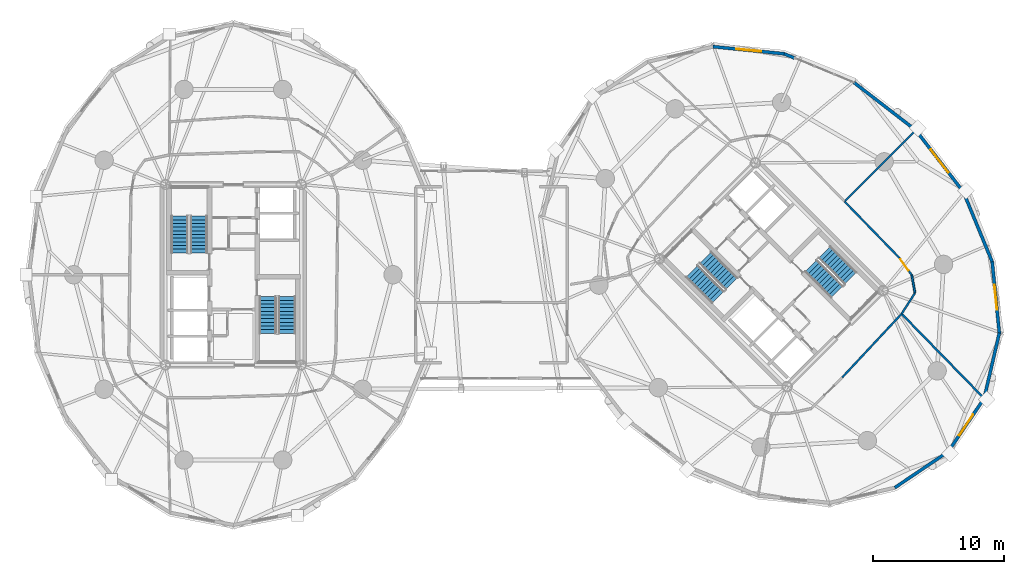
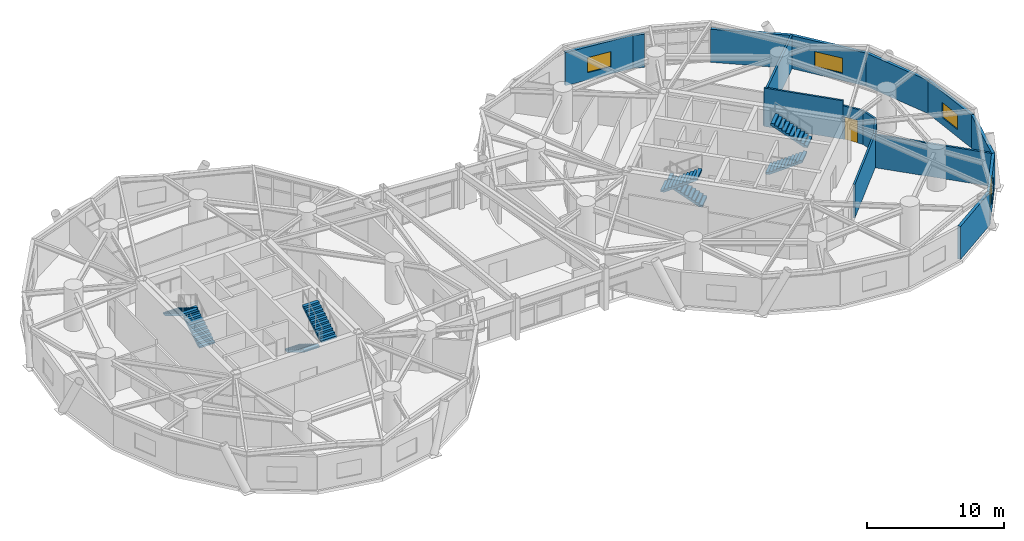
# One storey, part 18 of 20: 16 walls, 8 stair flights, 4 windows, 1 door, 5 openings, 4 elements without a shape of their own.
"""IFC4 building model written with IfcOpenShell, lengths in metres."""

from ifc_helpers import new_model, si_unit, direction, frame, frame_2d, origin, place, context, subcontext, project, spatial, polyline, rectangle, outline, extrude, source, transform, mapped, material, layer, layer_set, type_object, element, fill, aggregate, save


model = new_model("IFC4")

# Units and contexts
model_context = context("Model", 3, precision=1e-05, world=origin(), true_north=direction((0.0, 1.0)))
body_context = subcontext(model_context, "Body", "Model", "MODEL_VIEW")
ifc_project = project(units=[si_unit("LENGTHUNIT", "METRE"), si_unit("AREAUNIT", "SQUARE_METRE"), si_unit("VOLUMEUNIT", "CUBIC_METRE"), si_unit("PLANEANGLEUNIT", "RADIAN"), si_unit("MASSUNIT", "GRAM", prefix="KILO")], contexts=[model_context])

# Site, building, storey
site_placement = place(None, origin())
site = spatial("IfcSite", under=ifc_project, at=site_placement, CompositionType="ELEMENT")
building_placement = place(site_placement, origin())
building = spatial("IfcBuilding", under=site, at=building_placement, Name="Cununo Teusaquillo Station Towers", CompositionType="ELEMENT")
storey_placement = place(building_placement, frame((0.0, 0.0, 129.159912109375)))
storey = spatial("IfcBuildingStorey", under=building, at=storey_placement, Name="L41", CompositionType="ELEMENT", Elevation=129.159912109375)

# Walls
ifc_material_1 = material(Name="Precast concrete C40/50", Category="concrete")
ifc_layer_1 = layer(ifc_material_1, 0.239990234375)
ifc_layer_set_1 = layer_set([ifc_layer_1], Name="Precast concrete C40/50")
wall_type_1 = type_object("IfcWallType", Name="WL-EXT-240", PredefinedType="SOLIDWALL", material=ifc_layer_set_1)
wall_1_placement = place(storey_placement, frame((63.811279296875, 39.145263671875, 0.0), z_axis=(0.0, 0.0, 1.0), x_axis=(0.791982052206, -0.61054437102, 0.0)))
element("IfcWall", 1, at=wall_1_placement, inside=storey, type_object=wall_type_1, Name="L41 Tower B Exterior Facade Wall C00", PredefinedType="SOLIDWALL", context=body_context, shape_type="SweptSolid", body=[
    extrude(rectangle(XDim=5.942138671875, YDim=0.239990234375, at=frame_2d((2.97119140625, 0.0))), origin(), (0.0, 0.0, 1.0), 2.948974609375),
])
wall_2_placement = place(storey_placement, frame((58.4873046875, 41.33935546875, 0.0), z_axis=(0.0, 0.0, 1.0), x_axis=(0.924556017656, -0.381046152345, 0.0)))
element("IfcWall", 2, at=wall_2_placement, inside=storey, type_object=wall_type_1, Name="L41 Tower B Column Pier Cladding Wall C01-PA", PredefinedType="SOLIDWALL", context=body_context, shape_type="SweptSolid", body=[
    extrude(rectangle(XDim=0.8701171875, YDim=0.239990234375, at=frame_2d((0.43505859375, 0.0))), origin(), (0.0, 0.0, 1.0), 2.948974609375),
])

# Wall, opening, window
wall_3_placement = place(storey_placement, frame((53.066650390625, 41.885009765625, 0.0), z_axis=(0.0, 0.0, 1.0), x_axis=(0.994971754311, -0.10015591906, 0.0)))
wall_3 = element("IfcWall", 3, at=wall_3_placement, inside=storey, type_object=wall_type_1, Name="L41 Tower B Exterior Facade Wall C02", PredefinedType="SOLIDWALL", context=body_context, shape_type="SweptSolid", body=[
    extrude(rectangle(XDim=5.447998046875, YDim=0.239990234375, at=frame_2d((2.72412109375, 0.0))), origin(), (0.0, 0.0, 1.0), 2.948974609375),
])
shared_shape_1 = source(origin(), body_context, "Body", "SweptSolid", [
    extrude(rectangle(XDim=1.89990234375, YDim=1.35009765625, at=frame_2d((0.949951171875, 0.675048828125))), frame((0.0, 0.1298828125, 0.0), z_axis=(0.0, -1.0, 0.0), x_axis=(1.0, 0.0, 0.0)), (0.0, 0.0, 1.0), 0.260009765625),
])
opening_1_placement = place(wall_3_placement, frame((1.77392578125, 0.0, 0.64990234375)))
opening_1 = element("IfcOpeningElement", 4, at=opening_1_placement, cuts=wall_3, Name="Opening WN-02", PredefinedType="OPENING", context=body_context, shape_type="MappedRepresentation", body=[
    mapped(shared_shape_1, transform((0.0, 0.0, 0.0), x_axis=(1.0, 0.0, 0.0), y_axis=(0.0, 1.0, 0.0), z_axis=(0.0, 0.0, 1.0), scale=1.0)),
])
ifc_material_2 = material(Name="Operable acoustic tinted low-E double glazing", Category="glass")
window_type_1 = type_object("IfcWindowType", Name="WIN-OPER-1900", PartitioningType="DOUBLE_PANEL_VERTICAL", PredefinedType="WINDOW", material=ifc_material_2)
shared_shape_2 = source(origin(), body_context, "Body", "SweptSolid", [
    extrude(rectangle(XDim=1.89990234375, YDim=1.35009765625, at=frame_2d((0.949951171875, 0.675048828125))), frame((0.0, 0.030029296875, 0.0), z_axis=(0.0, -1.0, 0.0), x_axis=(1.0, 0.0, 0.0)), (0.0, 0.0, 1.0), 0.06005859375),
])
window_1_placement = place(opening_1_placement, origin())
window_1 = element("IfcWindow", 5, at=window_1_placement, inside=storey, type_object=window_type_1, Name="L41 Tower B Facade Window C02", OverallHeight=1.35009765625, OverallWidth=1.89990234375, PartitioningType="DOUBLE_PANEL_VERTICAL", PredefinedType="WINDOW", context=body_context, shape_type="MappedRepresentation", body=[
    mapped(shared_shape_2, transform((0.0, 0.0, 0.0), x_axis=(1.0, 0.0, 0.0), y_axis=(0.0, 1.0, 0.0), z_axis=(0.0, 0.0, 1.0), scale=1.0)),
])
fill(opening_1, window_1)

# Wall
wall_4_placement = place(storey_placement, frame((70.984619140625, 11.015380859375, 0.0), z_axis=(0.0, 0.0, 1.0), x_axis=(-0.828781148131, -0.559572880421, 0.0)))
element("IfcWall", 6, at=wall_4_placement, inside=storey, type_object=wall_type_1, Name="L41 Tower B Exterior Facade Wall C14", PredefinedType="SOLIDWALL", context=body_context, shape_type="SweptSolid", body=[
    extrude(rectangle(XDim=4.904541015625, YDim=0.239990234375, at=frame_2d((2.4521484375, 0.0))), origin(), (0.0, 0.0, 1.0), 2.948974609375),
])

# Wall, opening, window
wall_5_placement = place(storey_placement, frame((73.72900390625, 15.080078125, 0.0), z_axis=(0.0, 0.0, 1.0), x_axis=(-0.559572880421, -0.828781148131, 0.0)))
wall_5 = element("IfcWall", 7, at=wall_5_placement, inside=storey, type_object=wall_type_1, Name="L41 Tower B Exterior Facade Wall C15", PredefinedType="SOLIDWALL", context=body_context, shape_type="SweptSolid", body=[
    extrude(rectangle(XDim=4.904541015625, YDim=0.239990234375, at=frame_2d((2.4521484375, 0.0))), origin(), (0.0, 0.0, 1.0), 2.948974609375),
])
opening_2_placement = place(wall_5_placement, frame((1.501953125, 0.0, 0.64990234375)))
opening_2 = element("IfcOpeningElement", 8, at=opening_2_placement, cuts=wall_5, Name="Opening WN-02", PredefinedType="OPENING", context=body_context, shape_type="MappedRepresentation", body=[
    mapped(shared_shape_1, transform((0.0, 0.0, 0.0), x_axis=(1.0, 0.0, 0.0), y_axis=(0.0, 1.0, 0.0), z_axis=(0.0, 0.0, 1.0), scale=1.0)),
])
window_2_placement = place(opening_2_placement, origin())
window_2 = element("IfcWindow", 9, at=window_2_placement, inside=storey, type_object=window_type_1, Name="L41 Tower B Facade Window C15", OverallHeight=1.35009765625, OverallWidth=1.89990234375, PartitioningType="DOUBLE_PANEL_VERTICAL", PredefinedType="WINDOW", context=body_context, shape_type="MappedRepresentation", body=[
    mapped(shared_shape_2, transform((0.0, 0.0, 0.0), x_axis=(1.0, 0.0, 0.0), y_axis=(0.0, 1.0, 0.0), z_axis=(0.0, 0.0, 1.0), scale=1.0)),
])
fill(opening_2, window_2)

# Wall
wall_6_placement = place(storey_placement, frame((74.885009765625, 20.066650390625, 0.0), z_axis=(0.0, 0.0, 1.0), x_axis=(-0.225834725257, -0.974165631126, 0.0)))
element("IfcWall", 10, at=wall_6_placement, inside=storey, type_object=wall_type_1, Name="L41 Tower B Exterior Facade Wall C16", PredefinedType="SOLIDWALL", context=body_context, shape_type="SweptSolid", body=[
    extrude(rectangle(XDim=5.118896484375, YDim=0.239990234375, at=frame_2d((2.5595703125, 0.0))), origin(), (0.0, 0.0, 1.0), 2.948974609375),
])

# Wall, opening, window
wall_7_placement = place(storey_placement, frame((74.33935546875, 25.4873046875, 0.0), z_axis=(0.0, 0.0, 1.0), x_axis=(0.10015591906, -0.994971754311, 0.0)))
wall_7 = element("IfcWall", 11, at=wall_7_placement, inside=storey, type_object=wall_type_1, Name="L41 Tower B Exterior Facade Wall C17", PredefinedType="SOLIDWALL", context=body_context, shape_type="SweptSolid", body=[
    extrude(rectangle(XDim=5.447998046875, YDim=0.239990234375, at=frame_2d((2.72412109375, 0.0))), origin(), (0.0, 0.0, 1.0), 2.948974609375),
])
opening_3_placement = place(wall_7_placement, frame((1.77392578125, 0.0, 0.64990234375)))
opening_3 = element("IfcOpeningElement", 12, at=opening_3_placement, cuts=wall_7, Name="Opening WN-02", PredefinedType="OPENING", context=body_context, shape_type="MappedRepresentation", body=[
    mapped(shared_shape_1, transform((0.0, 0.0, 0.0), x_axis=(1.0, 0.0, 0.0), y_axis=(0.0, 1.0, 0.0), z_axis=(0.0, 0.0, 1.0), scale=1.0)),
])
window_3_placement = place(opening_3_placement, origin())
window_3 = element("IfcWindow", 13, at=window_3_placement, inside=storey, type_object=window_type_1, Name="L41 Tower B Facade Window C17", OverallHeight=1.35009765625, OverallWidth=1.89990234375, PartitioningType="DOUBLE_PANEL_VERTICAL", PredefinedType="WINDOW", context=body_context, shape_type="MappedRepresentation", body=[
    mapped(shared_shape_2, transform((0.0, 0.0, 0.0), x_axis=(1.0, 0.0, 0.0), y_axis=(0.0, 1.0, 0.0), z_axis=(0.0, 0.0, 1.0), scale=1.0)),
])
fill(opening_3, window_3)

# Wall
wall_8_placement = place(storey_placement, frame((72.145263671875, 30.811279296875, 0.0), z_axis=(0.0, 0.0, 1.0), x_axis=(0.381027003055, -0.924563909604, 0.0)))
element("IfcWall", 14, at=wall_8_placement, inside=storey, type_object=wall_type_1, Name="L41 Tower B Exterior Facade Wall C18", PredefinedType="SOLIDWALL", context=body_context, shape_type="SweptSolid", body=[
    extrude(rectangle(XDim=5.75830078125, YDim=0.239990234375, at=frame_2d((2.879150390625, 0.0))), origin(), (0.0, 0.0, 1.0), 2.948974609375),
])

# Wall, opening, window
wall_9_placement = place(storey_placement, frame((68.517333984375, 35.517333984375, 0.0), z_axis=(0.0, 0.0, 1.0), x_axis=(0.61054437102, -0.791982052206, 0.0)))
wall_9 = element("IfcWall", 15, at=wall_9_placement, inside=storey, type_object=wall_type_1, Name="L41 Tower B Exterior Facade Wall C19", PredefinedType="SOLIDWALL", context=body_context, shape_type="SweptSolid", body=[
    extrude(rectangle(XDim=5.942138671875, YDim=0.239990234375, at=frame_2d((2.97119140625, 0.0))), origin(), (0.0, 0.0, 1.0), 2.948974609375),
])
shared_shape_3 = source(origin(), body_context, "Body", "SweptSolid", [
    extrude(rectangle(XDim=2.199951171875, YDim=1.35009765625, at=frame_2d((1.10009765625, 0.675048828125))), frame((0.0, 0.1298828125, 0.0), z_axis=(0.0, -1.0, 0.0), x_axis=(1.0, 0.0, 0.0)), (0.0, 0.0, 1.0), 0.260009765625),
])
opening_4_placement = place(wall_9_placement, frame((1.87109375, 0.0, 0.64990234375)))
opening_4 = element("IfcOpeningElement", 16, at=opening_4_placement, cuts=wall_9, Name="Opening WN-01", PredefinedType="OPENING", context=body_context, shape_type="MappedRepresentation", body=[
    mapped(shared_shape_3, transform((0.0, 0.0, 0.0), x_axis=(1.0, 0.0, 0.0), y_axis=(0.0, 1.0, 0.0), z_axis=(0.0, 0.0, 1.0), scale=1.0)),
])
ifc_material_3 = material(Name="Ceramic-fritted dark low-E double glazing", Category="glass")
window_type_2 = type_object("IfcWindowType", Name="WIN-FRIT-2200", PartitioningType="DOUBLE_PANEL_VERTICAL", PredefinedType="WINDOW", material=ifc_material_3)
shared_shape_4 = source(origin(), body_context, "Body", "SweptSolid", [
    extrude(rectangle(XDim=2.199951171875, YDim=1.35009765625, at=frame_2d((1.10009765625, 0.675048828125))), frame((0.0, 0.030029296875, 0.0), z_axis=(0.0, -1.0, 0.0), x_axis=(1.0, 0.0, 0.0)), (0.0, 0.0, 1.0), 0.06005859375),
])
window_4_placement = place(opening_4_placement, origin())
window_4 = element("IfcWindow", 17, at=window_4_placement, inside=storey, type_object=window_type_2, Name="L41 Tower B Facade Window C19", OverallHeight=1.35009765625, OverallWidth=2.199951171875, PartitioningType="DOUBLE_PANEL_VERTICAL", PredefinedType="WINDOW", context=body_context, shape_type="MappedRepresentation", body=[
    mapped(shared_shape_4, transform((0.0, 0.0, 0.0), x_axis=(1.0, 0.0, 0.0), y_axis=(0.0, 1.0, 0.0), z_axis=(0.0, 0.0, 1.0), scale=1.0)),
])
fill(opening_4, window_4)

# Walls
ifc_material_4 = material(Name="Fire-rated gypsum plasterboard partition assembly", Category="gypsum")
ifc_layer_2 = layer(ifc_material_4, 0.14990234375)
ifc_layer_set_2 = layer_set([ifc_layer_2], Name="Fire-rated gypsum plasterboard partition assembly")
wall_type_2 = type_object("IfcWallType", Name="WL-PART-150", PredefinedType="PARTITIONING", material=ifc_layer_set_2)
wall_10_placement = place(storey_placement, frame((62.902587890625, 16.66650390625, 0.0), z_axis=(0.0, 0.0, 1.0), x_axis=(0.682371947497, 0.731005147225, 0.0)))
element("IfcWall", 18, at=wall_10_placement, inside=storey, type_object=wall_type_2, Name="L41 Tower B Corridor Ring Wall C15", PredefinedType="PARTITIONING", context=body_context, shape_type="SweptSolid", body=[
    extrude(rectangle(XDim=6.6416015625, YDim=0.14990234375, at=frame_2d((3.32080078125, 0.0))), origin(), (0.0, 0.0, 1.0), 2.9951171875),
])
wall_11_placement = place(storey_placement, frame((67.4345703125, 21.521484375, 0.0), z_axis=(0.0, 0.0, 1.0), x_axis=(0.540777197838, 0.841165870859, 0.0)))
element("IfcWall", 19, at=wall_11_placement, inside=storey, type_object=wall_type_2, Name="L41 Tower B Corridor Ring Wall C16", PredefinedType="PARTITIONING", context=body_context, shape_type="SweptSolid", body=[
    extrude(rectangle(XDim=1.887939453125, YDim=0.14990234375, at=frame_2d((0.94384765625, 0.0))), origin(), (0.0, 0.0, 1.0), 2.9951171875),
])
wall_12_placement = place(storey_placement, frame((68.45556640625, 23.109619140625, 0.0), z_axis=(0.0, 0.0, 1.0), x_axis=(-0.1772522795, 0.984165448191, 0.0)))
element("IfcWall", 20, at=wall_12_placement, inside=storey, type_object=wall_type_2, Name="L41 Tower B Corridor Ring Wall C17", PredefinedType="PARTITIONING", context=body_context, shape_type="SweptSolid", body=[
    extrude(rectangle(XDim=1.381591796875, YDim=0.14990234375, at=frame_2d((0.69091796875, 0.0))), origin(), (0.0, 0.0, 1.0), 2.9951171875),
])

# Wall, opening, door
wall_13_placement = place(storey_placement, frame((68.210693359375, 24.46923828125, 0.0), z_axis=(0.0, 0.0, 1.0), x_axis=(-0.583012141368, 0.812463441034, 0.0)))
wall_13 = element("IfcWall", 21, at=wall_13_placement, inside=storey, type_object=wall_type_2, Name="L41 Tower B Corridor Ring Wall C18", PredefinedType="PARTITIONING", context=body_context, shape_type="SweptSolid", body=[
    extrude(rectangle(XDim=1.613037109375, YDim=0.14990234375, at=frame_2d((0.806640625, 0.0))), origin(), (0.0, 0.0, 1.0), 2.9951171875),
])
shared_shape_5 = source(origin(), body_context, "Body", "SweptSolid", [
    extrude(rectangle(XDim=1.050048828125, YDim=2.014892578125, at=frame_2d((0.52490234375, 1.00732421875))), frame((0.0, 0.0849609375, 0.0), z_axis=(0.0, -1.0, 0.0), x_axis=(1.0, 0.0, 0.0)), (0.0, 0.0, 1.0), 0.169921875),
])
opening_5_placement = place(wall_13_placement, frame((0.443115234375, 0.0, 0.0)))
opening_5 = element("IfcOpeningElement", 22, at=opening_5_placement, cuts=wall_13, Name="Opening D-SU1", PredefinedType="OPENING", context=body_context, shape_type="MappedRepresentation", body=[
    mapped(shared_shape_5, transform((0.0, 0.0, 0.0), x_axis=(1.0, 0.0, 0.0), y_axis=(0.0, 1.0, 0.0), z_axis=(0.0, 0.0, 1.0), scale=1.0)),
])
ifc_material_5 = material(Name="Acoustic solid-core hardwood leaf assembly", Category="wood")
door_type = type_object("IfcDoorType", Name="DR-SUITE-1050", OperationType="NOTDEFINED", PredefinedType="DOOR", material=ifc_material_5)
shared_shape_6 = source(origin(), body_context, "Body", "SweptSolid", [
    extrude(rectangle(XDim=1.050048828125, YDim=2.014892578125, at=frame_2d((0.52490234375, 1.00732421875))), frame((0.0, 0.02490234375, 0.0), z_axis=(0.0, -1.0, 0.0), x_axis=(1.0, 0.0, 0.0)), (0.0, 0.0, 1.0), 0.050048828125),
])
door_placement = place(opening_5_placement, origin())
door = element("IfcDoor", 23, at=door_placement, inside=storey, type_object=door_type, Name="L41 Tower B Bridge Portal Reception Foyer Entrance Door", OperationType="SINGLE_SWING_RIGHT", OverallHeight=2.014892578125, OverallWidth=1.050048828125, PredefinedType="DOOR", context=body_context, shape_type="MappedRepresentation", body=[
    mapped(shared_shape_6, transform((0.0, 0.0, 0.0), x_axis=(1.0, 0.0, 0.0), y_axis=(0.0, 1.0, 0.0), z_axis=(0.0, 0.0, 1.0), scale=1.0)),
])
fill(opening_5, door)

# Walls
wall_14_placement = place(storey_placement, frame((67.270263671875, 25.77978515625, 0.0), z_axis=(0.0, 0.0, 1.0), x_axis=(-0.696847842907, 0.717218992942, 0.0)))
element("IfcWall", 24, at=wall_14_placement, inside=storey, type_object=wall_type_2, Name="L41 Tower B Corridor Ring Wall C19", PredefinedType="PARTITIONING", context=body_context, shape_type="SweptSolid", body=[
    extrude(rectangle(XDim=6.00439453125, YDim=0.14990234375, at=frame_2d((3.002197265625, 0.0))), origin(), (0.0, 0.0, 1.0), 3.425048828125),
])
ifc_material_6 = material(Name="Fire-rated gypsum plasterboard partition assembly", Category="gypsum")
ifc_layer_3 = layer(ifc_material_6, 0.159912109375)
ifc_layer_set_3 = layer_set([ifc_layer_3], Name="Fire-rated gypsum plasterboard partition assembly")
wall_type_3 = type_object("IfcWallType", Name="WL-PART-160", PredefinedType="PARTITIONING", material=ifc_layer_set_3)
wall_15_placement = place(storey_placement, frame((63.086181640625, 30.086181640625, 0.0), z_axis=(0.0, 0.0, 1.0), x_axis=(0.707106781187, 0.707106781187, 0.0)))
element("IfcWall", 25, at=wall_15_placement, inside=storey, type_object=wall_type_3, Name="L41 Tower B Radial Suite Partition R01", PredefinedType="PARTITIONING", context=body_context, shape_type="SweptSolid", body=[
    extrude(rectangle(XDim=7.6611328125, YDim=0.159912109375, at=frame_2d((3.83056640625, 0.0))), origin(), (0.0, 0.0, 1.0), 2.948974609375),
])
wall_16_placement = place(storey_placement, frame((67.4345703125, 21.521484375, 0.0), z_axis=(0.0, 0.0, 1.0), x_axis=(0.6983880073, -0.715719352302, 0.0)))
element("IfcWall", 26, at=wall_16_placement, inside=storey, type_object=wall_type_3, Name="L41 Tower B Radial Suite Partition R05", PredefinedType="PARTITIONING", context=body_context, shape_type="SweptSolid", body=[
    extrude(rectangle(XDim=8.9873046875, YDim=0.159912109375, at=frame_2d((4.49365234375, 0.0))), origin(), (0.0, 0.0, 1.0), 2.948974609375),
])

# Stair, stair flights
ifc_material_7 = material(Name="Concrete C50/60", Category="concrete")
stair_type = type_object("IfcStairType", Name="ST-TWR-1300", PredefinedType="HALF_TURN_STAIR", material=ifc_material_7)
stair_1_placement = place(storey_placement, origin())
stair_1 = element("IfcStair", 27, at=stair_1_placement, inside=storey, type_object=stair_type, Name="L41 Tower A Protected Core Exit Stair 1", PredefinedType="HALF_TURN_STAIR")
ifc_material_8 = material(Name="Concrete C50/60", Category="concrete")
stair_flight_type = type_object("IfcStairFlightType", Name="SFL-TWR-1300", PredefinedType="STRAIGHT", material=ifc_material_8)
stair_flight_1_placement = place(storey_placement, frame((13.8701171875, 26.169921875, 0.0), z_axis=(0.0, 0.0, 1.0), x_axis=(0.0, 1.0, 0.0)))
stair_flight_1 = element("IfcStairFlight", 28, at=stair_flight_1_placement, type_object=stair_flight_type, Name="ST-T1-1 flight 1", NumberOfRisers=11, NumberOfTreads=10, PredefinedType="STRAIGHT", RiserHeight=0.169090909, TreadLength=0.28, context=body_context, shape_type="SweptSolid", body=[
    extrude(outline(polyline([(0.0, 0.0), (0.0, 0.169189453125), (0.280029296875, 0.169189453125), (0.280029296875, 0.338134765625), (0.56005859375, 0.338134765625), (0.56005859375, 0.50732421875), (0.840087890625, 0.50732421875), (0.840087890625, 0.67626953125), (1.1201171875, 0.67626953125), (1.1201171875, 0.845458984375), (1.39990234375, 0.845458984375), (1.39990234375, 1.0146484375), (1.679931640625, 1.0146484375), (1.679931640625, 1.18359375), (1.9599609375, 1.18359375), (1.9599609375, 1.352783203125), (2.239990234375, 1.352783203125), (2.239990234375, 1.521728515625), (2.52001953125, 1.521728515625), (2.52001953125, 1.69091796875), (2.800048828125, 1.69091796875), (2.800048828125, 1.860107421875), (2.800048828125, 1.515869140625), (0.2900390625, 0.0), (0.0, 0.0)])), frame((0.0, 0.64990234375, 0.0), z_axis=(0.0, -1.0, 0.0), x_axis=(1.0, 0.0, 0.0)), (0.0, 0.0, 1.0), 1.300048828125),
])
stair_flight_2_placement = place(storey_placement, frame((12.409912109375, 28.969970703125, 1.860107421875), z_axis=(0.0, 0.0, 1.0), x_axis=(0.0, -1.0, 0.0)))
stair_flight_2 = element("IfcStairFlight", 29, at=stair_flight_2_placement, type_object=stair_flight_type, Name="ST-T1-1 flight 2", NumberOfRisers=11, NumberOfTreads=10, PredefinedType="STRAIGHT", RiserHeight=0.169090909, TreadLength=0.28, context=body_context, shape_type="SweptSolid", body=[
    extrude(outline(polyline([(0.0, 0.0), (0.0, 0.169189453125), (0.280029296875, 0.169189453125), (0.280029296875, 0.338134765625), (0.56005859375, 0.338134765625), (0.56005859375, 0.50732421875), (0.840087890625, 0.50732421875), (0.840087890625, 0.67626953125), (1.1201171875, 0.67626953125), (1.1201171875, 0.845458984375), (1.39990234375, 0.845458984375), (1.39990234375, 1.0146484375), (1.679931640625, 1.0146484375), (1.679931640625, 1.18359375), (1.9599609375, 1.18359375), (1.9599609375, 1.352783203125), (2.239990234375, 1.352783203125), (2.239990234375, 1.521728515625), (2.52001953125, 1.521728515625), (2.52001953125, 1.69091796875), (2.800048828125, 1.69091796875), (2.800048828125, 1.860107421875), (2.800048828125, 1.515869140625), (0.2900390625, 0.0), (0.0, 0.0)])), frame((0.0, 0.64990234375, 0.0), z_axis=(0.0, -1.0, 0.0), x_axis=(1.0, 0.0, 0.0)), (0.0, 0.0, 1.0), 1.300048828125),
])
aggregate(stair_1, [stair_flight_1, stair_flight_2])

stair_2_placement = place(storey_placement, origin())
stair_2 = element("IfcStair", 30, at=stair_2_placement, inside=storey, type_object=stair_type, Name="L41 Tower A Protected Core Exit Stair 2", PredefinedType="HALF_TURN_STAIR")
stair_flight_3_placement = place(storey_placement, frame((19.1298828125, 22.830078125, 0.0), z_axis=(0.0, 0.0, 1.0), x_axis=(0.0, -1.0, 0.0)))
stair_flight_3 = element("IfcStairFlight", 31, at=stair_flight_3_placement, type_object=stair_flight_type, Name="ST-T1-2 flight 1", NumberOfRisers=11, NumberOfTreads=10, PredefinedType="STRAIGHT", RiserHeight=0.169090909, TreadLength=0.28, context=body_context, shape_type="SweptSolid", body=[
    extrude(outline(polyline([(0.0, 0.0), (0.0, 0.169189453125), (0.280029296875, 0.169189453125), (0.280029296875, 0.338134765625), (0.56005859375, 0.338134765625), (0.56005859375, 0.50732421875), (0.840087890625, 0.50732421875), (0.840087890625, 0.67626953125), (1.1201171875, 0.67626953125), (1.1201171875, 0.845458984375), (1.39990234375, 0.845458984375), (1.39990234375, 1.0146484375), (1.679931640625, 1.0146484375), (1.679931640625, 1.18359375), (1.9599609375, 1.18359375), (1.9599609375, 1.352783203125), (2.239990234375, 1.352783203125), (2.239990234375, 1.521728515625), (2.52001953125, 1.521728515625), (2.52001953125, 1.69091796875), (2.800048828125, 1.69091796875), (2.800048828125, 1.860107421875), (2.800048828125, 1.515869140625), (0.2900390625, 0.0), (0.0, 0.0)])), frame((0.0, 0.64990234375, 0.0), z_axis=(0.0, -1.0, 0.0), x_axis=(1.0, 0.0, 0.0)), (0.0, 0.0, 1.0), 1.300048828125),
])
stair_flight_4_placement = place(storey_placement, frame((20.590087890625, 20.030029296875, 1.860107421875), z_axis=(0.0, 0.0, 1.0), x_axis=(0.0, 1.0, 0.0)))
stair_flight_4 = element("IfcStairFlight", 32, at=stair_flight_4_placement, type_object=stair_flight_type, Name="ST-T1-2 flight 2", NumberOfRisers=11, NumberOfTreads=10, PredefinedType="STRAIGHT", RiserHeight=0.169090909, TreadLength=0.28, context=body_context, shape_type="SweptSolid", body=[
    extrude(outline(polyline([(0.0, 0.0), (0.0, 0.169189453125), (0.280029296875, 0.169189453125), (0.280029296875, 0.338134765625), (0.56005859375, 0.338134765625), (0.56005859375, 0.50732421875), (0.840087890625, 0.50732421875), (0.840087890625, 0.67626953125), (1.1201171875, 0.67626953125), (1.1201171875, 0.845458984375), (1.39990234375, 0.845458984375), (1.39990234375, 1.0146484375), (1.679931640625, 1.0146484375), (1.679931640625, 1.18359375), (1.9599609375, 1.18359375), (1.9599609375, 1.352783203125), (2.239990234375, 1.352783203125), (2.239990234375, 1.521728515625), (2.52001953125, 1.521728515625), (2.52001953125, 1.69091796875), (2.800048828125, 1.69091796875), (2.800048828125, 1.860107421875), (2.800048828125, 1.515869140625), (0.2900390625, 0.0), (0.0, 0.0)])), frame((0.0, 0.64990234375, 0.0), z_axis=(0.0, -1.0, 0.0), x_axis=(1.0, 0.0, 0.0)), (0.0, 0.0, 1.0), 1.300048828125),
])
aggregate(stair_2, [stair_flight_3, stair_flight_4])

stair_3_placement = place(storey_placement, origin())
stair_3 = element("IfcStair", 33, at=stair_3_placement, inside=storey, type_object=stair_type, Name="L41 Tower B Protected Core Exit Stair 1", PredefinedType="HALF_TURN_STAIR")
stair_flight_5_placement = place(storey_placement, frame((54.45947265625, 23.8212890625, 0.0), z_axis=(0.0, 0.0, 1.0), x_axis=(-0.707106781187, 0.707106781187, 0.0)))
stair_flight_5 = element("IfcStairFlight", 34, at=stair_flight_5_placement, type_object=stair_flight_type, Name="ST-T2-1 flight 1", NumberOfRisers=11, NumberOfTreads=10, PredefinedType="STRAIGHT", RiserHeight=0.169090909, TreadLength=0.28, context=body_context, shape_type="SweptSolid", body=[
    extrude(outline(polyline([(0.0, 0.0), (0.0, 0.169189453125), (0.280029296875, 0.169189453125), (0.280029296875, 0.338134765625), (0.56005859375, 0.338134765625), (0.56005859375, 0.50732421875), (0.840087890625, 0.50732421875), (0.840087890625, 0.67626953125), (1.1201171875, 0.67626953125), (1.1201171875, 0.845458984375), (1.39990234375, 0.845458984375), (1.39990234375, 1.0146484375), (1.679931640625, 1.0146484375), (1.679931640625, 1.18359375), (1.9599609375, 1.18359375), (1.9599609375, 1.352783203125), (2.239990234375, 1.352783203125), (2.239990234375, 1.521728515625), (2.52001953125, 1.521728515625), (2.52001953125, 1.69091796875), (2.800048828125, 1.69091796875), (2.800048828125, 1.860107421875), (2.800048828125, 1.515869140625), (0.2900390625, 0.0), (0.0, 0.0)])), frame((0.0, 0.64990234375, 0.0), z_axis=(0.0, -1.0, 0.0), x_axis=(1.0, 0.0, 0.0)), (0.0, 0.0, 1.0), 1.300048828125),
])
stair_flight_6_placement = place(storey_placement, frame((51.447265625, 24.768798828125, 1.860107421875), z_axis=(0.0, 0.0, 1.0), x_axis=(0.707106781187, -0.707106781187, 0.0)))
stair_flight_6 = element("IfcStairFlight", 35, at=stair_flight_6_placement, type_object=stair_flight_type, Name="ST-T2-1 flight 2", NumberOfRisers=11, NumberOfTreads=10, PredefinedType="STRAIGHT", RiserHeight=0.169090909, TreadLength=0.28, context=body_context, shape_type="SweptSolid", body=[
    extrude(outline(polyline([(0.0, 0.0), (0.0, 0.169189453125), (0.280029296875, 0.169189453125), (0.280029296875, 0.338134765625), (0.56005859375, 0.338134765625), (0.56005859375, 0.50732421875), (0.840087890625, 0.50732421875), (0.840087890625, 0.67626953125), (1.1201171875, 0.67626953125), (1.1201171875, 0.845458984375), (1.39990234375, 0.845458984375), (1.39990234375, 1.0146484375), (1.679931640625, 1.0146484375), (1.679931640625, 1.18359375), (1.9599609375, 1.18359375), (1.9599609375, 1.352783203125), (2.239990234375, 1.352783203125), (2.239990234375, 1.521728515625), (2.52001953125, 1.521728515625), (2.52001953125, 1.69091796875), (2.800048828125, 1.69091796875), (2.800048828125, 1.860107421875), (2.800048828125, 1.515869140625), (0.2900390625, 0.0), (0.0, 0.0)])), frame((0.0, 0.64990234375, 0.0), z_axis=(0.0, -1.0, 0.0), x_axis=(1.0, 0.0, 0.0)), (0.0, 0.0, 1.0), 1.300048828125),
])
aggregate(stair_3, [stair_flight_5, stair_flight_6])

stair_4_placement = place(storey_placement, origin())
stair_4 = element("IfcStair", 36, at=stair_4_placement, inside=storey, type_object=stair_type, Name="L41 Tower B Protected Core Exit Stair 2", PredefinedType="HALF_TURN_STAIR")
stair_flight_7_placement = place(storey_placement, frame((60.54052734375, 25.1787109375, 0.0), z_axis=(0.0, 0.0, 1.0), x_axis=(0.707106781187, -0.707106781187, 0.0)))
stair_flight_7 = element("IfcStairFlight", 37, at=stair_flight_7_placement, type_object=stair_flight_type, Name="ST-T2-2 flight 1", NumberOfRisers=11, NumberOfTreads=10, PredefinedType="STRAIGHT", RiserHeight=0.169090909, TreadLength=0.28, context=body_context, shape_type="SweptSolid", body=[
    extrude(outline(polyline([(0.0, 0.0), (0.0, 0.169189453125), (0.280029296875, 0.169189453125), (0.280029296875, 0.338134765625), (0.56005859375, 0.338134765625), (0.56005859375, 0.50732421875), (0.840087890625, 0.50732421875), (0.840087890625, 0.67626953125), (1.1201171875, 0.67626953125), (1.1201171875, 0.845458984375), (1.39990234375, 0.845458984375), (1.39990234375, 1.0146484375), (1.679931640625, 1.0146484375), (1.679931640625, 1.18359375), (1.9599609375, 1.18359375), (1.9599609375, 1.352783203125), (2.239990234375, 1.352783203125), (2.239990234375, 1.521728515625), (2.52001953125, 1.521728515625), (2.52001953125, 1.69091796875), (2.800048828125, 1.69091796875), (2.800048828125, 1.860107421875), (2.800048828125, 1.515869140625), (0.2900390625, 0.0), (0.0, 0.0)])), frame((0.0, 0.64990234375, 0.0), z_axis=(0.0, -1.0, 0.0), x_axis=(1.0, 0.0, 0.0)), (0.0, 0.0, 1.0), 1.300048828125),
])
stair_flight_8_placement = place(storey_placement, frame((63.552734375, 24.231201171875, 1.860107421875), z_axis=(0.0, 0.0, 1.0), x_axis=(-0.707106781187, 0.707106781187, 0.0)))
stair_flight_8 = element("IfcStairFlight", 38, at=stair_flight_8_placement, type_object=stair_flight_type, Name="ST-T2-2 flight 2", NumberOfRisers=11, NumberOfTreads=10, PredefinedType="STRAIGHT", RiserHeight=0.169090909, TreadLength=0.28, context=body_context, shape_type="SweptSolid", body=[
    extrude(outline(polyline([(0.0, 0.0), (0.0, 0.169189453125), (0.280029296875, 0.169189453125), (0.280029296875, 0.338134765625), (0.56005859375, 0.338134765625), (0.56005859375, 0.50732421875), (0.840087890625, 0.50732421875), (0.840087890625, 0.67626953125), (1.1201171875, 0.67626953125), (1.1201171875, 0.845458984375), (1.39990234375, 0.845458984375), (1.39990234375, 1.0146484375), (1.679931640625, 1.0146484375), (1.679931640625, 1.18359375), (1.9599609375, 1.18359375), (1.9599609375, 1.352783203125), (2.239990234375, 1.352783203125), (2.239990234375, 1.521728515625), (2.52001953125, 1.521728515625), (2.52001953125, 1.69091796875), (2.800048828125, 1.69091796875), (2.800048828125, 1.860107421875), (2.800048828125, 1.515869140625), (0.2900390625, 0.0), (0.0, 0.0)])), frame((0.0, 0.64990234375, 0.0), z_axis=(0.0, -1.0, 0.0), x_axis=(1.0, 0.0, 0.0)), (0.0, 0.0, 1.0), 1.300048828125),
])
aggregate(stair_4, [stair_flight_7, stair_flight_8])

save(model, "model.ifc")
